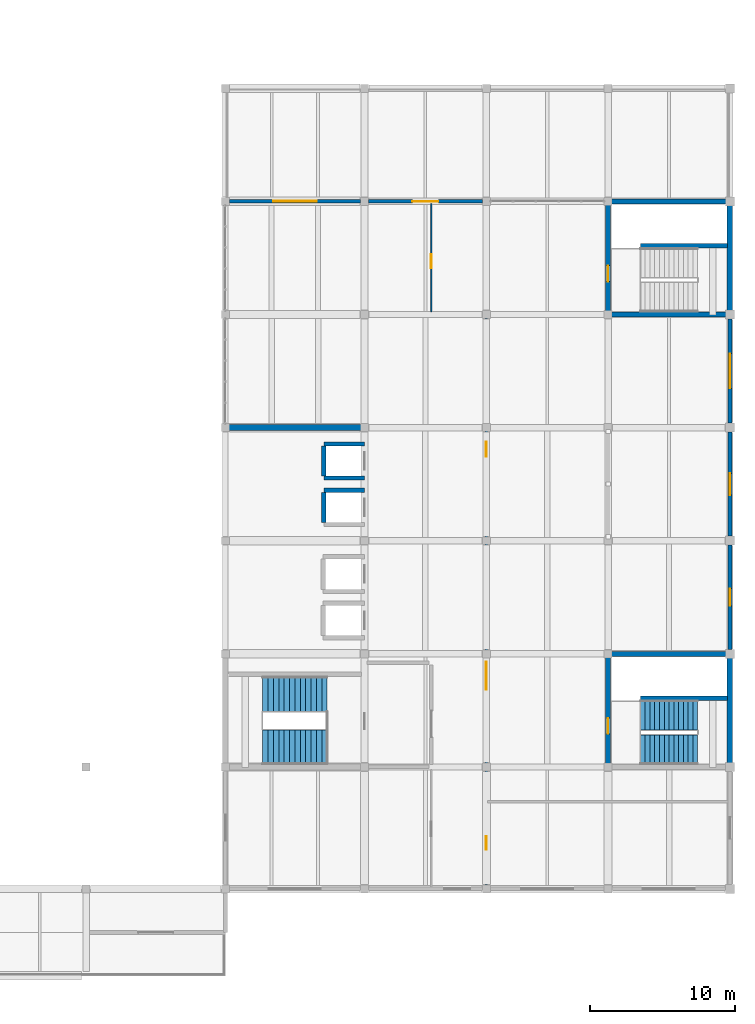
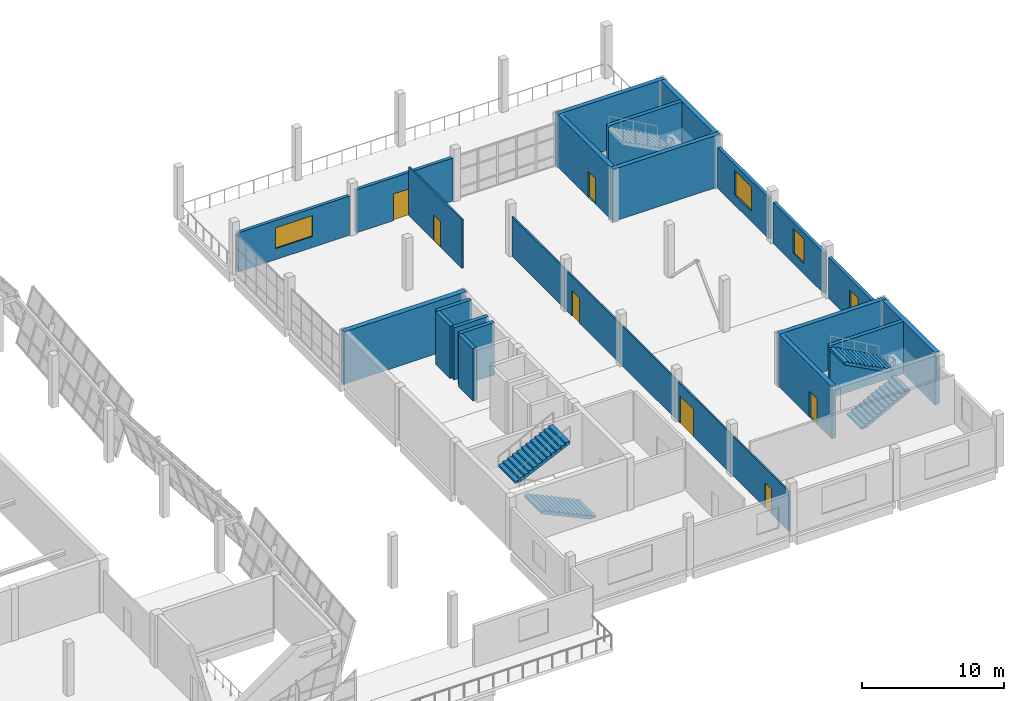
# One storey, part 57 of 67: 22 walls, 7 doors, 4 stair flights, 4 windows, 11 openings, 2 elements without a shape of their own.
"""IFC4 building model written with IfcOpenShell, lengths in metres."""

from ifc_helpers import new_model, si_unit, direction, frame, frame_2d, origin, place, context, subcontext, project, spatial, polyline, rectangle, outline, extrude, material, layer, layer_set, type_object, element, fill, aggregate, save


model = new_model("IFC4")

# Units and contexts
model_context = context("Model", 3, precision=1e-05, world=origin(), true_north=direction((0.0, 1.0)))
body_context = subcontext(model_context, "Body", "Model", "MODEL_VIEW")
ifc_project = project(units=[si_unit("LENGTHUNIT", "METRE"), si_unit("AREAUNIT", "SQUARE_METRE"), si_unit("VOLUMEUNIT", "CUBIC_METRE"), si_unit("PLANEANGLEUNIT", "RADIAN"), si_unit("MASSUNIT", "GRAM", prefix="KILO")], contexts=[model_context])

# Site, building, storey
site_placement = place(None, origin())
site = spatial("IfcSite", under=ifc_project, at=site_placement, CompositionType="ELEMENT")
building_placement = place(site_placement, origin())
building = spatial("IfcBuilding", under=site, at=building_placement, Name="Pellamere Symphony Hall", CompositionType="ELEMENT")
storey_placement = place(building_placement, frame((0.0, 0.0, 19.5)))
storey = spatial("IfcBuildingStorey", under=building, at=storey_placement, Name="L04", CompositionType="ELEMENT", Elevation=19.5)

# Wall, opening, window
ifc_material_1 = material(Name="Insulated Zinc Rainscreen Backing Wall Assembly", Category="aluminium")
ifc_layer_1 = layer(ifc_material_1, 0.25, Name="Insulated Zinc Rainscreen Backing Wall Assembly")
ifc_layer_set_1 = layer_set([ifc_layer_1], Name="Insulated Zinc Rainscreen Backing Wall Assembly")
wall_type_1 = type_object("IfcWallType", Name="Exterior Wall EW-04 250mm", PredefinedType="SOLIDWALL", material=ifc_layer_set_1)
wall_1_placement = place(storey_placement, frame((138.27490234375, 77.39990234375, 0.0), z_axis=(0.0, 0.0, 1.0), x_axis=(1.0, 0.0, 0.0)))
wall_1 = element("IfcWall", 1, at=wall_1_placement, inside=storey, type_object=wall_type_1, Name="Exterior Wall EW-04-126 (L04)", PredefinedType="SOLIDWALL", context=body_context, shape_type="SweptSolid", body=[
    extrude(rectangle(XDim=9.050048828125, YDim=0.25, at=frame_2d((4.52490234375, 0.0))), origin(), (0.0, 0.0, 1.0), 3.3701171875),
])
opening_1_placement = place(wall_1_placement, frame((3.02490234375, 0.0, 0.949951171875)))
opening_1 = element("IfcOpeningElement", 2, at=opening_1_placement, cuts=wall_1, Name="Opening W086", PredefinedType="OPENING", context=body_context, shape_type="SweptSolid", body=[
    extrude(rectangle(XDim=3.0, YDim=1.800048828125, at=frame_2d((1.5, 0.89990234375))), frame((0.0, 0.135009765625, 0.0), z_axis=(0.0, -1.0, 0.0), x_axis=(1.0, 0.0, 0.0)), (0.0, 0.0, 1.0), 0.27001953125),
])
ifc_material_2 = material(Name="Thermally Broken Aluminium Triple-Glazed Acoustic Window", Category="aluminium")
window_type_1 = type_object("IfcWindowType", Name="Window WN-16 3000x1800", PartitioningType="TRIPLE_PANEL_VERTICAL", PredefinedType="WINDOW", material=ifc_material_2)
window_1_placement = place(opening_1_placement, origin())
window_1 = element("IfcWindow", 3, at=window_1_placement, inside=storey, type_object=window_type_1, Name="Exterior Window W086 (L04)", OverallHeight=1.800048828125, OverallWidth=3.0, PartitioningType="SINGLE_PANEL", PredefinedType="WINDOW", context=body_context, shape_type="SweptSolid", body=[
    extrude(rectangle(XDim=3.0, YDim=1.800048828125, at=frame_2d((1.5, 0.89990234375))), frame((0.0, 0.030029296875, 0.0), z_axis=(0.0, -1.0, 0.0), x_axis=(1.0, 0.0, 0.0)), (0.0, 0.0, 1.0), 0.06005859375),
])
fill(opening_1, window_1)

# Wall, opening, door
wall_2_placement = place(storey_placement, frame((147.875, 77.39990234375, 0.0), z_axis=(0.0, 0.0, 1.0), x_axis=(1.0, 0.0, 0.0)))
wall_2 = element("IfcWall", 4, at=wall_2_placement, inside=storey, type_object=wall_type_1, Name="Exterior Wall EW-04-127 (L04)", PredefinedType="SOLIDWALL", context=body_context, shape_type="SweptSolid", body=[
    extrude(rectangle(XDim=7.85009765625, YDim=0.25, at=frame_2d((3.925048828125, 0.0))), origin(), (0.0, 0.0, 1.0), 3.699951171875),
])
opening_2_placement = place(wall_2_placement, frame((3.02490234375, 0.0, 0.0)))
opening_2 = element("IfcOpeningElement", 5, at=opening_2_placement, cuts=wall_2, Name="Opening TD-12", PredefinedType="OPENING", context=body_context, shape_type="SweptSolid", body=[
    extrude(rectangle(XDim=1.800048828125, YDim=2.300048828125, at=frame_2d((0.89990234375, 1.14990234375))), frame((0.0, 0.135009765625, 0.0), z_axis=(0.0, -1.0, 0.0), x_axis=(1.0, 0.0, 0.0)), (0.0, 0.0, 1.0), 0.27001953125),
])
ifc_material_3 = material(Name="Thermally Broken Bronze-Anodised Aluminium Acoustic Door", Category="aluminium")
door_type_1 = type_object("IfcDoorType", Name="Exterior Door ED-06 1800x2300", OperationType="NOTDEFINED", PredefinedType="DOOR", material=ifc_material_3)
door_1_placement = place(opening_2_placement, origin())
door_1 = element("IfcDoor", 6, at=door_1_placement, inside=storey, type_object=door_type_1, Name="Choral Wing North Terrace Door", OperationType="DOUBLE_DOOR_SINGLE_SWING", OverallHeight=2.300048828125, OverallWidth=1.800048828125, PredefinedType="DOOR", context=body_context, shape_type="SweptSolid", body=[
    extrude(rectangle(XDim=1.800048828125, YDim=2.300048828125, at=frame_2d((0.89990234375, 1.14990234375))), frame((0.0, 0.02490234375, 0.0), z_axis=(0.0, -1.0, 0.0), x_axis=(1.0, 0.0, 0.0)), (0.0, 0.0, 1.0), 0.050048828125),
])
fill(opening_2, door_1)

# Wall, opening, window
wall_3_placement = place(storey_placement, frame((172.800048828125, 46.510009765625, 0.0), z_axis=(0.0, 0.0, 1.0), x_axis=(0.0, 1.0, 0.0)))
wall_3 = element("IfcWall", 7, at=wall_3_placement, inside=storey, type_object=wall_type_1, Name="Exterior Wall EW-04-129 (L04)", PredefinedType="SOLIDWALL", context=body_context, shape_type="SweptSolid", body=[
    extrude(rectangle(XDim=7.179931640625, YDim=0.25, at=frame_2d((3.58984375, 0.0))), origin(), (0.0, 0.0, 1.0), 3.52001953125),
])
opening_3_placement = place(wall_3_placement, frame((2.989990234375, 0.0, 0.89990234375)))
opening_3 = element("IfcOpeningElement", 8, at=opening_3_placement, cuts=wall_3, Name="Opening W088", PredefinedType="OPENING", context=body_context, shape_type="SweptSolid", body=[
    extrude(rectangle(XDim=1.199951171875, YDim=1.64990234375, at=frame_2d((0.60009765625, 0.824951171875))), frame((0.0, 0.135009765625, 0.0), z_axis=(0.0, -1.0, 0.0), x_axis=(1.0, 0.0, 0.0)), (0.0, 0.0, 1.0), 0.27001953125),
])
window_type_2 = type_object("IfcWindowType", Name="Window WN-07 1200x1650", PartitioningType="SINGLE_PANEL", PredefinedType="WINDOW", material=ifc_material_2)
window_2_placement = place(opening_3_placement, origin())
window_2 = element("IfcWindow", 9, at=window_2_placement, inside=storey, type_object=window_type_2, Name="Exterior Window W088 (L04)", OverallHeight=1.64990234375, OverallWidth=1.199951171875, PartitioningType="SINGLE_PANEL", PredefinedType="WINDOW", context=body_context, shape_type="SweptSolid", body=[
    extrude(rectangle(XDim=1.199951171875, YDim=1.64990234375, at=frame_2d((0.60009765625, 0.824951171875))), frame((0.0, 0.030029296875, 0.0), z_axis=(0.0, -1.0, 0.0), x_axis=(1.0, 0.0, 0.0)), (0.0, 0.0, 1.0), 0.06005859375),
])
fill(opening_3, window_2)

wall_4_placement = place(storey_placement, frame((172.800048828125, 54.31005859375, 0.0), z_axis=(0.0, 0.0, 1.0), x_axis=(0.0, 1.0, 0.0)))
wall_4 = element("IfcWall", 10, at=wall_4_placement, inside=storey, type_object=wall_type_1, Name="Exterior Wall EW-04-130 (L04)", PredefinedType="SOLIDWALL", context=body_context, shape_type="SweptSolid", body=[
    extrude(rectangle(XDim=7.179931640625, YDim=0.25, at=frame_2d((3.58984375, 0.0))), origin(), (0.0, 0.0, 1.0), 3.52001953125),
])
opening_4_placement = place(wall_4_placement, frame((2.840087890625, 0.0, 0.89990234375)))
opening_4 = element("IfcOpeningElement", 11, at=opening_4_placement, cuts=wall_4, Name="Opening W089", PredefinedType="OPENING", context=body_context, shape_type="SweptSolid", body=[
    extrude(rectangle(XDim=1.5, YDim=2.10009765625, at=frame_2d((0.75, 1.050048828125))), frame((0.0, 0.135009765625, 0.0), z_axis=(0.0, -1.0, 0.0), x_axis=(1.0, 0.0, 0.0)), (0.0, 0.0, 1.0), 0.27001953125),
])
window_type_3 = type_object("IfcWindowType", Name="Window WN-01 1500x2100", PartitioningType="SINGLE_PANEL", PredefinedType="WINDOW", material=ifc_material_2)
window_3_placement = place(opening_4_placement, origin())
window_3 = element("IfcWindow", 12, at=window_3_placement, inside=storey, type_object=window_type_3, Name="Exterior Window W089 (L04)", OverallHeight=2.10009765625, OverallWidth=1.5, PartitioningType="SINGLE_PANEL", PredefinedType="WINDOW", context=body_context, shape_type="SweptSolid", body=[
    extrude(rectangle(XDim=1.5, YDim=2.10009765625, at=frame_2d((0.75, 1.050048828125))), frame((0.0, 0.030029296875, 0.0), z_axis=(0.0, -1.0, 0.0), x_axis=(1.0, 0.0, 0.0)), (0.0, 0.0, 1.0), 0.06005859375),
])
fill(opening_4, window_3)

wall_5_placement = place(storey_placement, frame((172.800048828125, 62.110107421875, 0.0), z_axis=(0.0, 0.0, 1.0), x_axis=(0.0, 1.0, 0.0)))
wall_5 = element("IfcWall", 13, at=wall_5_placement, inside=storey, type_object=wall_type_1, Name="Exterior Wall EW-04-131 (L04)", PredefinedType="SOLIDWALL", context=body_context, shape_type="SweptSolid", body=[
    extrude(rectangle(XDim=7.179931640625, YDim=0.25, at=frame_2d((3.58984375, 0.0))), origin(), (0.0, 0.0, 1.0), 3.52001953125),
])
opening_5_placement = place(wall_5_placement, frame((2.389892578125, 0.0, 0.89990234375)))
opening_5 = element("IfcOpeningElement", 14, at=opening_5_placement, cuts=wall_5, Name="Opening W090", PredefinedType="OPENING", context=body_context, shape_type="SweptSolid", body=[
    extrude(rectangle(XDim=2.39990234375, YDim=2.10009765625, at=frame_2d((1.199951171875, 1.050048828125))), frame((0.0, 0.135009765625, 0.0), z_axis=(0.0, -1.0, 0.0), x_axis=(1.0, 0.0, 0.0)), (0.0, 0.0, 1.0), 0.27001953125),
])
window_type_4 = type_object("IfcWindowType", Name="Window WN-02 2400x2100", PartitioningType="DOUBLE_PANEL_VERTICAL", PredefinedType="WINDOW", material=ifc_material_2)
window_4_placement = place(opening_5_placement, origin())
window_4 = element("IfcWindow", 15, at=window_4_placement, inside=storey, type_object=window_type_4, Name="Exterior Window W090 (L04)", OverallHeight=2.10009765625, OverallWidth=2.39990234375, PartitioningType="SINGLE_PANEL", PredefinedType="WINDOW", context=body_context, shape_type="SweptSolid", body=[
    extrude(rectangle(XDim=2.39990234375, YDim=2.10009765625, at=frame_2d((1.199951171875, 1.050048828125))), frame((0.0, 0.030029296875, 0.0), z_axis=(0.0, -1.0, 0.0), x_axis=(1.0, 0.0, 0.0)), (0.0, 0.0, 1.0), 0.06005859375),
])
fill(opening_5, window_4)

# Wall, opening, door
ifc_material_4 = material(Name="Interior Metal-Stud Gypsum Partition", Category="gypsum")
ifc_layer_2 = layer(ifc_material_4, 0.1298828125, Name="Interior Metal-Stud Gypsum Partition")
ifc_layer_set_2 = layer_set([ifc_layer_2], Name="Interior Metal-Stud Gypsum Partition")
wall_type_2 = type_object("IfcWallType", Name="Interior Partition IW-04 130mm", PredefinedType="PARTITIONING", material=ifc_layer_set_2)
wall_6_placement = place(storey_placement, frame((152.199951171875, 69.780029296875, 0.0), z_axis=(0.0, 0.0, 1.0), x_axis=(0.0, 1.0, 0.0)))
wall_6 = element("IfcWall", 16, at=wall_6_placement, inside=storey, type_object=wall_type_2, Name="Interior Partition IW-04-105 (L04)", PredefinedType="PARTITIONING", context=body_context, shape_type="SweptSolid", body=[
    extrude(rectangle(XDim=7.489990234375, YDim=0.1298828125, at=frame_2d((3.7451171875, 0.0))), origin(), (0.0, 0.0, 1.0), 4.18994140625),
])
opening_6_placement = place(wall_6_placement, frame((3.0, 0.0, 0.0)))
opening_6 = element("IfcOpeningElement", 17, at=opening_6_placement, cuts=wall_6, Name="Opening ID-AD3-061", PredefinedType="OPENING", context=body_context, shape_type="SweptSolid", body=[
    extrude(rectangle(XDim=0.97998046875, YDim=2.199951171875, at=frame_2d((0.489990234375, 1.10009765625))), frame((0.0, 0.074951171875, 0.0), z_axis=(0.0, -1.0, 0.0), x_axis=(1.0, 0.0, 0.0)), (0.0, 0.0, 1.0), 0.14990234375),
])
ifc_material_5 = material(Name="STC-48 Acoustic Practice Room Door", Category="wood")
door_type_2 = type_object("IfcDoorType", Name="Interior Door ID-AD3 980x2200", OperationType="NOTDEFINED", PredefinedType="DOOR", material=ifc_material_5)
door_2_placement = place(opening_6_placement, origin())
door_2 = element("IfcDoor", 18, at=door_2_placement, inside=storey, type_object=door_type_2, Name="Composer Studio 2 Door", OperationType="SINGLE_SWING_RIGHT", OverallHeight=2.199951171875, OverallWidth=0.97998046875, PredefinedType="DOOR", context=body_context, shape_type="SweptSolid", body=[
    extrude(rectangle(XDim=0.97998046875, YDim=2.199951171875, at=frame_2d((0.489990234375, 1.10009765625))), frame((0.0, 0.02490234375, 0.0), z_axis=(0.0, -1.0, 0.0), x_axis=(1.0, 0.0, 0.0)), (0.0, 0.0, 1.0), 0.050048828125),
])
fill(opening_6, door_2)

# Wall, openings, doors
wall_7_placement = place(storey_placement, frame((156.0, 30.2900390625, 0.0), z_axis=(0.0, 0.0, 1.0), x_axis=(0.0, 1.0, 0.0)))
wall_7 = element("IfcWall", 19, at=wall_7_placement, inside=storey, type_object=wall_type_2, Name="Interior Partition IW-04-106 (L04)", PredefinedType="PARTITIONING", context=body_context, shape_type="SweptSolid", body=[
    extrude(rectangle(XDim=39.02001953125, YDim=0.1298828125, at=frame_2d((19.510009765625, 0.0))), origin(), (0.0, 0.0, 1.0), 3.419921875),
])
opening_7_placement = place(wall_7_placement, frame((2.39990234375, 0.0, 0.0)))
opening_7 = element("IfcOpeningElement", 20, at=opening_7_placement, cuts=wall_7, Name="Opening ID-WC1-062", PredefinedType="OPENING", context=body_context, shape_type="SweptSolid", body=[
    extrude(rectangle(XDim=0.919921875, YDim=2.14990234375, at=frame_2d((0.4599609375, 1.074951171875))), frame((0.0, 0.074951171875, 0.0), z_axis=(0.0, -1.0, 0.0), x_axis=(1.0, 0.0, 0.0)), (0.0, 0.0, 1.0), 0.14990234375),
])
opening_8_placement = place(wall_7_placement, frame((13.449951171875, 0.0, 0.0)))
opening_8 = element("IfcOpeningElement", 21, at=opening_8_placement, cuts=wall_7, Name="Opening ID-GL1-063", PredefinedType="OPENING", context=body_context, shape_type="SweptSolid", body=[
    extrude(rectangle(XDim=1.89990234375, YDim=2.35009765625, at=frame_2d((0.949951171875, 1.175048828125))), frame((0.0, 0.074951171875, 0.0), z_axis=(0.0, -1.0, 0.0), x_axis=(1.0, 0.0, 0.0)), (0.0, 0.0, 1.0), 0.14990234375),
])
opening_9_placement = place(wall_7_placement, frame((29.5, 0.0, 0.0)))
opening_9 = element("IfcOpeningElement", 22, at=opening_9_placement, cuts=wall_7, Name="Opening ID-RM2-064", PredefinedType="OPENING", context=body_context, shape_type="SweptSolid", body=[
    extrude(rectangle(XDim=1.02001953125, YDim=2.179931640625, at=frame_2d((0.510009765625, 1.08984375))), frame((0.0, 0.074951171875, 0.0), z_axis=(0.0, -1.0, 0.0), x_axis=(1.0, 0.0, 0.0)), (0.0, 0.0, 1.0), 0.14990234375),
])
ifc_material_6 = material(Name="Laminated Acoustic Glass Lounge Sliding Door", Category="glass")
door_type_3 = type_object("IfcDoorType", Name="Interior Door ID-GL1 1900x2350", OperationType="NOTDEFINED", PredefinedType="DOOR", material=ifc_material_6)
door_3_placement = place(opening_8_placement, origin())
door_3 = element("IfcDoor", 23, at=door_3_placement, inside=storey, type_object=door_type_3, Name="Trustees Boardroom Sliding Glass Door", OperationType="SLIDING_TO_LEFT", OverallHeight=2.35009765625, OverallWidth=1.89990234375, PredefinedType="DOOR", context=body_context, shape_type="SweptSolid", body=[
    extrude(rectangle(XDim=1.89990234375, YDim=2.35009765625, at=frame_2d((0.949951171875, 1.175048828125))), frame((0.0, 0.02490234375, 0.0), z_axis=(0.0, -1.0, 0.0), x_axis=(1.0, 0.0, 0.0)), (0.0, 0.0, 1.0), 0.050048828125),
])
fill(opening_8, door_3)
ifc_material_7 = material(Name="Wide Accessible Teaching Studio Oak Door", Category="wood")
door_type_4 = type_object("IfcDoorType", Name="Interior Door ID-RM2 1020x2180", OperationType="NOTDEFINED", PredefinedType="DOOR", material=ifc_material_7)
door_4_placement = place(opening_9_placement, origin())
door_4 = element("IfcDoor", 24, at=door_4_placement, inside=storey, type_object=door_type_4, Name="Visiting Conductor Study Door", OperationType="SINGLE_SWING_LEFT", OverallHeight=2.179931640625, OverallWidth=1.02001953125, PredefinedType="DOOR", context=body_context, shape_type="SweptSolid", body=[
    extrude(rectangle(XDim=1.02001953125, YDim=2.179931640625, at=frame_2d((0.510009765625, 1.08984375))), frame((0.0, 0.02490234375, 0.0), z_axis=(0.0, -1.0, 0.0), x_axis=(1.0, 0.0, 0.0)), (0.0, 0.0, 1.0), 0.050048828125),
])
fill(opening_9, door_4)
ifc_material_8 = material(Name="Accessible Washroom Privacy Door", Category="wood")
door_type_5 = type_object("IfcDoorType", Name="Interior Door ID-WC1 920x2150", OperationType="NOTDEFINED", PredefinedType="DOOR", material=ifc_material_8)
door_5_placement = place(opening_7_placement, origin())
door_5 = element("IfcDoor", 25, at=door_5_placement, inside=storey, type_object=door_type_5, Name="Level 4 Atelier Washroom Door", OperationType="SINGLE_SWING_RIGHT", OverallHeight=2.14990234375, OverallWidth=0.919921875, PredefinedType="DOOR", context=body_context, shape_type="SweptSolid", body=[
    extrude(rectangle(XDim=0.919921875, YDim=2.14990234375, at=frame_2d((0.4599609375, 1.074951171875))), frame((0.0, 0.02490234375, 0.0), z_axis=(0.0, -1.0, 0.0), x_axis=(1.0, 0.0, 0.0)), (0.0, 0.0, 1.0), 0.050048828125),
])
fill(opening_7, door_5)

# Walls
ifc_material_9 = material(Name="Concrete 50 MPa", Category="concrete")
ifc_layer_3 = layer(ifc_material_9, 0.39990234375, Name="Concrete 50 MPa")
ifc_layer_set_3 = layer_set([ifc_layer_3], Name="Concrete 50 MPa")
wall_type_3 = type_object("IfcWallType", Name="Structural Wall SW-02 400mm", PredefinedType="SHEAR", material=ifc_layer_set_3)
wall_8_placement = place(storey_placement, frame((137.800048828125, 61.800048828125, 0.0), z_axis=(0.0, 0.0, 1.0), x_axis=(1.0, 0.0, 0.0)))
element("IfcWall", 26, at=wall_8_placement, inside=storey, type_object=wall_type_3, Name="Core Shear Wall C2 N (L04)", PredefinedType="SHEAR", context=body_context, shape_type="SweptSolid", body=[
    extrude(rectangle(XDim=10.0, YDim=0.39990234375, at=frame_2d((5.0, 0.0))), origin(), (0.0, 0.0, 1.0), 4.5),
])
ifc_material_10 = material(Name="Concrete 40 MPa", Category="concrete")
ifc_layer_4 = layer(ifc_material_10, 0.35009765625, Name="Concrete 40 MPa")
ifc_layer_set_4 = layer_set([ifc_layer_4], Name="Concrete 40 MPa")
wall_type_4 = type_object("IfcWallType", Name="Structural Wall SW-03 350mm", PredefinedType="SHEAR", material=ifc_layer_set_4)
for number, where, z_axis, x_axis, name in (
    (27, (164.22509765625, 69.60009765625, 0.0), (0.0, 0.0, 1.0), (1.0, 0.0, 0.0), "Stair ST05 Enclosure Wall S (L04)"),
    (28, (164.22509765625, 77.39990234375, 0.0), (0.0, 0.0, 1.0), (1.0, 0.0, 0.0), "Stair ST05 Enclosure Wall N (L04)"),
):
    element("IfcWall", number, at=place(storey_placement, frame(where, z_axis=z_axis, x_axis=x_axis)), inside=storey, type_object=wall_type_4, Name=name, PredefinedType="SHEAR", context=body_context, shape_type="SweptSolid", body=[
        extrude(rectangle(XDim=8.75, YDim=0.35009765625, at=frame_2d((4.375, 0.0))), origin(), (0.0, 0.0, 1.0), 4.5),
    ])

# Wall, opening, door
wall_9_placement = place(storey_placement, frame((164.39990234375, 69.77490234375, 0.0), z_axis=(0.0, 0.0, 1.0), x_axis=(0.0, 1.0, 0.0)))
wall_9 = element("IfcWall", 29, at=wall_9_placement, inside=storey, type_object=wall_type_4, Name="Stair ST05 Enclosure Wall W (L04)", PredefinedType="SHEAR", context=body_context, shape_type="SweptSolid", body=[
    extrude(rectangle(XDim=7.4501953125, YDim=0.35009765625, at=frame_2d((3.72509765625, 0.0))), origin(), (0.0, 0.0, 1.0), 4.5),
])
opening_10_placement = place(wall_9_placement, frame((2.10009765625, 0.0, 0.0)))
opening_10 = element("IfcOpeningElement", 30, at=opening_10_placement, cuts=wall_9, Name="Opening SD-27", PredefinedType="OPENING", context=body_context, shape_type="SweptSolid", body=[
    extrude(rectangle(XDim=1.10009765625, YDim=2.199951171875, at=frame_2d((0.550048828125, 1.10009765625))), frame((0.0, 0.18505859375, 0.0), z_axis=(0.0, -1.0, 0.0), x_axis=(1.0, 0.0, 0.0)), (0.0, 0.0, 1.0), 0.3701171875),
])
ifc_material_11 = material(Name="Fire-Rated Steel Exit Stair Door", Category="steel")
door_type_6 = type_object("IfcDoorType", Name="Interior Door ID-SD1 1100x2200", OperationType="NOTDEFINED", PredefinedType="DOOR", material=ifc_material_11)
door_6_placement = place(opening_10_placement, frame((1.10009765625, 0.0, 0.0), z_axis=(0.0, 0.0, 1.0), x_axis=(-1.0, 0.0, 0.0)))
door_6 = element("IfcDoor", 31, at=door_6_placement, inside=storey, type_object=door_type_6, Name="Exit Stair ST05 Door (L04)", OperationType="SINGLE_SWING_LEFT", OverallHeight=2.199951171875, OverallWidth=1.10009765625, PredefinedType="DOOR", context=body_context, shape_type="SweptSolid", body=[
    extrude(rectangle(XDim=1.10009765625, YDim=2.199951171875, at=frame_2d((0.550048828125, 1.10009765625))), frame((0.0, 0.02490234375, 0.0), z_axis=(0.0, -1.0, 0.0), x_axis=(1.0, 0.0, 0.0)), (0.0, 0.0, 1.0), 0.050048828125),
])
fill(opening_10, door_6)

# Wall
wall_10_placement = place(storey_placement, frame((164.22509765625, 46.199951171875, 0.0), z_axis=(0.0, 0.0, 1.0), x_axis=(1.0, 0.0, 0.0)))
element("IfcWall", 32, at=wall_10_placement, inside=storey, type_object=wall_type_4, Name="Stair ST06 Enclosure Wall N (L04)", PredefinedType="SHEAR", context=body_context, shape_type="SweptSolid", body=[
    extrude(rectangle(XDim=8.75, YDim=0.35009765625, at=frame_2d((4.375, 0.0))), origin(), (0.0, 0.0, 1.0), 4.5),
])

# Wall, opening, door
wall_11_placement = place(storey_placement, frame((164.39990234375, 38.574951171875, 0.0), z_axis=(0.0, 0.0, 1.0), x_axis=(0.0, 1.0, 0.0)))
wall_11 = element("IfcWall", 33, at=wall_11_placement, inside=storey, type_object=wall_type_4, Name="Stair ST06 Enclosure Wall W (L04)", PredefinedType="SHEAR", context=body_context, shape_type="SweptSolid", body=[
    extrude(rectangle(XDim=7.449951171875, YDim=0.35009765625, at=frame_2d((3.72509765625, 0.0))), origin(), (0.0, 0.0, 1.0), 4.5),
])
opening_11_placement = place(wall_11_placement, frame((2.10009765625, 0.0, 0.0)))
opening_11 = element("IfcOpeningElement", 34, at=opening_11_placement, cuts=wall_11, Name="Opening SD-34", PredefinedType="OPENING", context=body_context, shape_type="SweptSolid", body=[
    extrude(rectangle(XDim=1.10009765625, YDim=2.199951171875, at=frame_2d((0.550048828125, 1.10009765625))), frame((0.0, 0.18505859375, 0.0), z_axis=(0.0, -1.0, 0.0), x_axis=(1.0, 0.0, 0.0)), (0.0, 0.0, 1.0), 0.3701171875),
])
door_7_placement = place(opening_11_placement, frame((1.10009765625, 0.0, 0.0), z_axis=(0.0, 0.0, 1.0), x_axis=(-1.0, 0.0, 0.0)))
door_7 = element("IfcDoor", 35, at=door_7_placement, inside=storey, type_object=door_type_6, Name="Exit Stair ST06 Door (L04)", OperationType="SINGLE_SWING_RIGHT", OverallHeight=2.199951171875, OverallWidth=1.10009765625, PredefinedType="DOOR", context=body_context, shape_type="SweptSolid", body=[
    extrude(rectangle(XDim=1.10009765625, YDim=2.199951171875, at=frame_2d((0.550048828125, 1.10009765625))), frame((0.0, 0.02490234375, 0.0), z_axis=(0.0, -1.0, 0.0), x_axis=(1.0, 0.0, 0.0)), (0.0, 0.0, 1.0), 0.050048828125),
])
fill(opening_11, door_7)

# Walls
ifc_layer_5 = layer(ifc_material_10, 0.300048828125, Name="Concrete 40 MPa")
ifc_layer_set_5 = layer_set([ifc_layer_5], Name="Concrete 40 MPa")
wall_type_5 = type_object("IfcWallType", Name="Structural Wall SW-04 300mm", PredefinedType="SHEAR", material=ifc_layer_set_5)
for number, where, z_axis, x_axis, name in (
    (36, (166.625, 74.35009765625, 0.0), (0.0, 0.0, 1.0), (1.0, 0.0, 0.0), "Stair ST05 Discharge Divider Wall (L04)"),
    (37, (166.625, 43.14990234375, 0.0), (0.0, 0.0, 1.0), (1.0, 0.0, 0.0), "Stair ST06 Discharge Divider Wall (L04)"),
):
    element("IfcWall", number, at=place(storey_placement, frame(where, z_axis=z_axis, x_axis=x_axis)), inside=storey, type_object=wall_type_5, Name=name, PredefinedType="SHEAR", context=body_context, shape_type="SweptSolid", body=[
        extrude(rectangle(XDim=5.9951171875, YDim=0.300048828125, at=frame_2d((2.99755859375, 0.0))), origin(), (0.0, 0.0, 1.0), 4.5),
    ])
wall_12_placement = place(storey_placement, frame((144.800048828125, 57.47509765625, 0.0), z_axis=(0.0, 0.0, 1.0), x_axis=(1.0, 0.0, 0.0)))
element("IfcWall", 38, at=wall_12_placement, inside=storey, type_object=wall_type_5, Name="Elevator PL3 Hoistway Wall N (L04)", PredefinedType="SHEAR", context=body_context, shape_type="SweptSolid", body=[
    extrude(rectangle(XDim=2.800048828125, YDim=0.300048828125, at=frame_2d((1.39990234375, 0.0))), origin(), (0.0, 0.0, 1.0), 4.5),
])
wall_13_placement = place(storey_placement, frame((144.800048828125, 55.27490234375, 0.0), z_axis=(0.0, 0.0, 1.0), x_axis=(0.0, 1.0, 0.0)))
element("IfcWall", 39, at=wall_13_placement, inside=storey, type_object=wall_type_5, Name="Elevator PL3 Hoistway Wall W (L04)", PredefinedType="SHEAR", context=body_context, shape_type="SweptSolid", body=[
    extrude(rectangle(XDim=2.050048828125, YDim=0.300048828125, at=frame_2d((1.02490234375, 0.0))), origin(), (0.0, 0.0, 1.0), 4.5),
])
for number, where, z_axis, x_axis, name in (
    (40, (144.800048828125, 58.324951171875, 0.0), (0.0, 0.0, 1.0), (1.0, 0.0, 0.0), "Elevator PL4 Hoistway Wall S (L04)"),
    (41, (144.800048828125, 60.675048828125, 0.0), (0.0, 0.0, 1.0), (1.0, 0.0, 0.0), "Elevator PL4 Hoistway Wall N (L04)"),
):
    element("IfcWall", number, at=place(storey_placement, frame(where, z_axis=z_axis, x_axis=x_axis)), inside=storey, type_object=wall_type_5, Name=name, PredefinedType="SHEAR", context=body_context, shape_type="SweptSolid", body=[
        extrude(rectangle(XDim=2.800048828125, YDim=0.300048828125, at=frame_2d((1.39990234375, 0.0))), origin(), (0.0, 0.0, 1.0), 4.5),
    ])
wall_14_placement = place(storey_placement, frame((144.800048828125, 58.47509765625, 0.0), z_axis=(0.0, 0.0, 1.0), x_axis=(0.0, 1.0, 0.0)))
element("IfcWall", 42, at=wall_14_placement, inside=storey, type_object=wall_type_5, Name="Elevator PL4 Hoistway Wall W (L04)", PredefinedType="SHEAR", context=body_context, shape_type="SweptSolid", body=[
    extrude(rectangle(XDim=2.0498046875, YDim=0.300048828125, at=frame_2d((1.02490234375, 0.0))), origin(), (0.0, 0.0, 1.0), 4.5),
])
ifc_layer_6 = layer(ifc_material_10, 0.3798828125, Name="Concrete 40 MPa")
ifc_layer_set_6 = layer_set([ifc_layer_6], Name="Concrete 40 MPa")
wall_type_6 = type_object("IfcWallType", Name="Structural Wall SW-07 380mm", PredefinedType="SHEAR", material=ifc_layer_set_6)
wall_15_placement = place(storey_placement, frame((172.800048828125, 69.77490234375, 0.0), z_axis=(0.0, 0.0, 1.0), x_axis=(0.0, 1.0, 0.0)))
element("IfcWall", 43, at=wall_15_placement, inside=storey, type_object=wall_type_6, Name="Stair ST05 Enclosure Wall E (L04)", PredefinedType="SHEAR", context=body_context, shape_type="SweptSolid", body=[
    extrude(rectangle(XDim=7.4501953125, YDim=0.3798828125, at=frame_2d((3.72509765625, 0.0))), origin(), (0.0, 0.0, 1.0), 4.5),
])
wall_16_placement = place(storey_placement, frame((172.800048828125, 38.574951171875, 0.0), z_axis=(0.0, 0.0, 1.0), x_axis=(0.0, 1.0, 0.0)))
element("IfcWall", 44, at=wall_16_placement, inside=storey, type_object=wall_type_6, Name="Stair ST06 Enclosure Wall E (L04)", PredefinedType="SHEAR", context=body_context, shape_type="SweptSolid", body=[
    extrude(rectangle(XDim=7.449951171875, YDim=0.3798828125, at=frame_2d((3.72509765625, 0.0))), origin(), (0.0, 0.0, 1.0), 4.5),
])

# Stair, stair flights
stair_type_1 = type_object("IfcStairType", Name="Stair ST-A W2400", PredefinedType="HALF_TURN_STAIR", material=ifc_material_10)
stair_1_placement = place(storey_placement, origin())
stair_1 = element("IfcStair", 45, at=stair_1_placement, inside=storey, type_object=stair_type_1, Name="Exit Stair ST02-L04 (L04 to L05)", PredefinedType="HALF_TURN_STAIR")
stair_flight_type_1 = type_object("IfcStairFlightType", Name="Stair Flight SF-A W2400", PredefinedType="STRAIGHT", material=ifc_material_10)
stair_flight_1_placement = place(storey_placement, frame((145.02490234375, 39.760009765625, 0.0), z_axis=(0.0, 0.0, 1.0), x_axis=(-1.0, 0.0, 0.0)))
stair_flight_1 = element("IfcStairFlight", 46, at=stair_flight_1_placement, type_object=stair_flight_type_1, Name="Stair ST02-L04 Lower Flight (L04)", NumberOfRisers=13, NumberOfTreads=12, PredefinedType="STRAIGHT", RiserHeight=0.17308, TreadLength=0.37083, context=body_context, shape_type="SweptSolid", body=[
    extrude(outline(polyline([(0.0, 0.0), (0.0, 0.173095703125), (0.370849609375, 0.173095703125), (0.370849609375, 0.34619140625), (0.74169921875, 0.34619140625), (0.74169921875, 0.519287109375), (1.112548828125, 0.519287109375), (1.112548828125, 0.6923828125), (1.4833984375, 0.6923828125), (1.4833984375, 0.865478515625), (1.854248046875, 0.865478515625), (1.854248046875, 1.03857421875), (2.22509765625, 1.03857421875), (2.22509765625, 1.211669921875), (2.595703125, 1.211669921875), (2.595703125, 1.384521484375), (2.966552734375, 1.384521484375), (2.966552734375, 1.5576171875), (3.33740234375, 1.5576171875), (3.33740234375, 1.730712890625), (3.708251953125, 1.730712890625), (3.708251953125, 1.90380859375), (4.0791015625, 1.90380859375), (4.0791015625, 2.076904296875), (4.449951171875, 2.076904296875), (4.449951171875, 2.25), (4.449951171875, 1.856201171875), (0.47265625, 0.0), (0.0, 0.0)])), frame((0.0, 1.199951171875, 0.0), z_axis=(0.0, -1.0, 0.0), x_axis=(1.0, 0.0, 0.0)), (0.0, 0.0, 1.0), 2.39990234375),
])
stair_flight_2_placement = place(storey_placement, frame((140.574951171875, 43.43994140625, 2.25), z_axis=(0.0, 0.0, 1.0), x_axis=(1.0, 0.0, 0.0)))
stair_flight_2 = element("IfcStairFlight", 47, at=stair_flight_2_placement, type_object=stair_flight_type_1, Name="Stair ST02-L04 Upper Flight (L04)", NumberOfRisers=13, NumberOfTreads=12, PredefinedType="STRAIGHT", RiserHeight=0.17308, TreadLength=0.37083, context=body_context, shape_type="SweptSolid", body=[
    extrude(outline(polyline([(0.0, 0.0), (0.0, 0.173095703125), (0.370849609375, 0.173095703125), (0.370849609375, 0.34619140625), (0.74169921875, 0.34619140625), (0.74169921875, 0.519287109375), (1.112548828125, 0.519287109375), (1.112548828125, 0.6923828125), (1.4833984375, 0.6923828125), (1.4833984375, 0.865478515625), (1.854248046875, 0.865478515625), (1.854248046875, 1.03857421875), (2.22509765625, 1.03857421875), (2.22509765625, 1.211669921875), (2.595703125, 1.211669921875), (2.595703125, 1.384521484375), (2.966552734375, 1.384521484375), (2.966552734375, 1.5576171875), (3.33740234375, 1.5576171875), (3.33740234375, 1.730712890625), (3.708251953125, 1.730712890625), (3.708251953125, 1.90380859375), (4.0791015625, 1.90380859375), (4.0791015625, 2.076904296875), (4.449951171875, 2.076904296875), (4.449951171875, 2.25), (4.449951171875, 1.856201171875), (0.47265625, 0.0), (0.0, 0.0)])), frame((0.0, 1.199951171875, 0.0), z_axis=(0.0, -1.0, 0.0), x_axis=(1.0, 0.0, 0.0)), (0.0, 0.0, 1.0), 2.39990234375),
])
aggregate(stair_1, [stair_flight_1, stair_flight_2])

stair_type_2 = type_object("IfcStairType", Name="Stair ST-B W2050", PredefinedType="HALF_TURN_STAIR", material=ifc_material_10)
stair_2_placement = place(storey_placement, origin())
stair_2 = element("IfcStair", 48, at=stair_2_placement, inside=storey, type_object=stair_type_2, Name="Exit Stair ST06-L04 (L04 to L05)", PredefinedType="HALF_TURN_STAIR")
stair_flight_type_2 = type_object("IfcStairFlightType", Name="Stair Flight SF-B W2050", PredefinedType="STRAIGHT", material=ifc_material_10)
stair_flight_3_placement = place(storey_placement, frame((166.625, 39.5849609375, 0.0), z_axis=(0.0, 0.0, 1.0), x_axis=(1.0, 0.0, 0.0)))
stair_flight_3 = element("IfcStairFlight", 49, at=stair_flight_3_placement, type_object=stair_flight_type_2, Name="Stair ST06-L04 Lower Flight (L04)", NumberOfRisers=13, NumberOfTreads=12, PredefinedType="STRAIGHT", RiserHeight=0.17308, TreadLength=0.32917, context=body_context, shape_type="SweptSolid", body=[
    extrude(outline(polyline([(0.0, 0.0), (0.0, 0.173095703125), (0.3291015625, 0.173095703125), (0.3291015625, 0.34619140625), (0.658447265625, 0.34619140625), (0.658447265625, 0.519287109375), (0.987548828125, 0.519287109375), (0.987548828125, 0.6923828125), (1.316650390625, 0.6923828125), (1.316650390625, 0.865478515625), (1.645751953125, 0.865478515625), (1.645751953125, 1.03857421875), (1.97509765625, 1.03857421875), (1.97509765625, 1.211669921875), (2.30419921875, 1.211669921875), (2.30419921875, 1.384521484375), (2.63330078125, 1.384521484375), (2.63330078125, 1.5576171875), (2.962646484375, 1.5576171875), (2.962646484375, 1.730712890625), (3.291748046875, 1.730712890625), (3.291748046875, 1.90380859375), (3.620849609375, 1.90380859375), (3.620849609375, 2.076904296875), (3.949951171875, 2.076904296875), (3.949951171875, 2.25), (3.949951171875, 1.85107421875), (0.4296875, 0.0), (0.0, 0.0)])), frame((0.0, 1.02490234375, 0.0), z_axis=(0.0, -1.0, 0.0), x_axis=(1.0, 0.0, 0.0)), (0.0, 0.0, 1.0), 2.050048828125),
])
stair_flight_4_placement = place(storey_placement, frame((170.574951171875, 41.97509765625, 2.25), z_axis=(0.0, 0.0, 1.0), x_axis=(-1.0, 0.0, 0.0)))
stair_flight_4 = element("IfcStairFlight", 50, at=stair_flight_4_placement, type_object=stair_flight_type_2, Name="Stair ST06-L04 Upper Flight (L04)", NumberOfRisers=13, NumberOfTreads=12, PredefinedType="STRAIGHT", RiserHeight=0.17308, TreadLength=0.32917, context=body_context, shape_type="SweptSolid", body=[
    extrude(outline(polyline([(0.0, 0.0), (0.0, 0.173095703125), (0.3291015625, 0.173095703125), (0.3291015625, 0.34619140625), (0.658447265625, 0.34619140625), (0.658447265625, 0.519287109375), (0.987548828125, 0.519287109375), (0.987548828125, 0.6923828125), (1.316650390625, 0.6923828125), (1.316650390625, 0.865478515625), (1.645751953125, 0.865478515625), (1.645751953125, 1.03857421875), (1.97509765625, 1.03857421875), (1.97509765625, 1.211669921875), (2.30419921875, 1.211669921875), (2.30419921875, 1.384521484375), (2.63330078125, 1.384521484375), (2.63330078125, 1.5576171875), (2.962646484375, 1.5576171875), (2.962646484375, 1.730712890625), (3.291748046875, 1.730712890625), (3.291748046875, 1.90380859375), (3.620849609375, 1.90380859375), (3.620849609375, 2.076904296875), (3.949951171875, 2.076904296875), (3.949951171875, 2.25), (3.949951171875, 1.85107421875), (0.4296875, 0.0), (0.0, 0.0)])), frame((0.0, 1.02490234375, 0.0), z_axis=(0.0, -1.0, 0.0), x_axis=(1.0, 0.0, 0.0)), (0.0, 0.0, 1.0), 2.050048828125),
])
aggregate(stair_2, [stair_flight_3, stair_flight_4])

save(model, "model.ifc")
